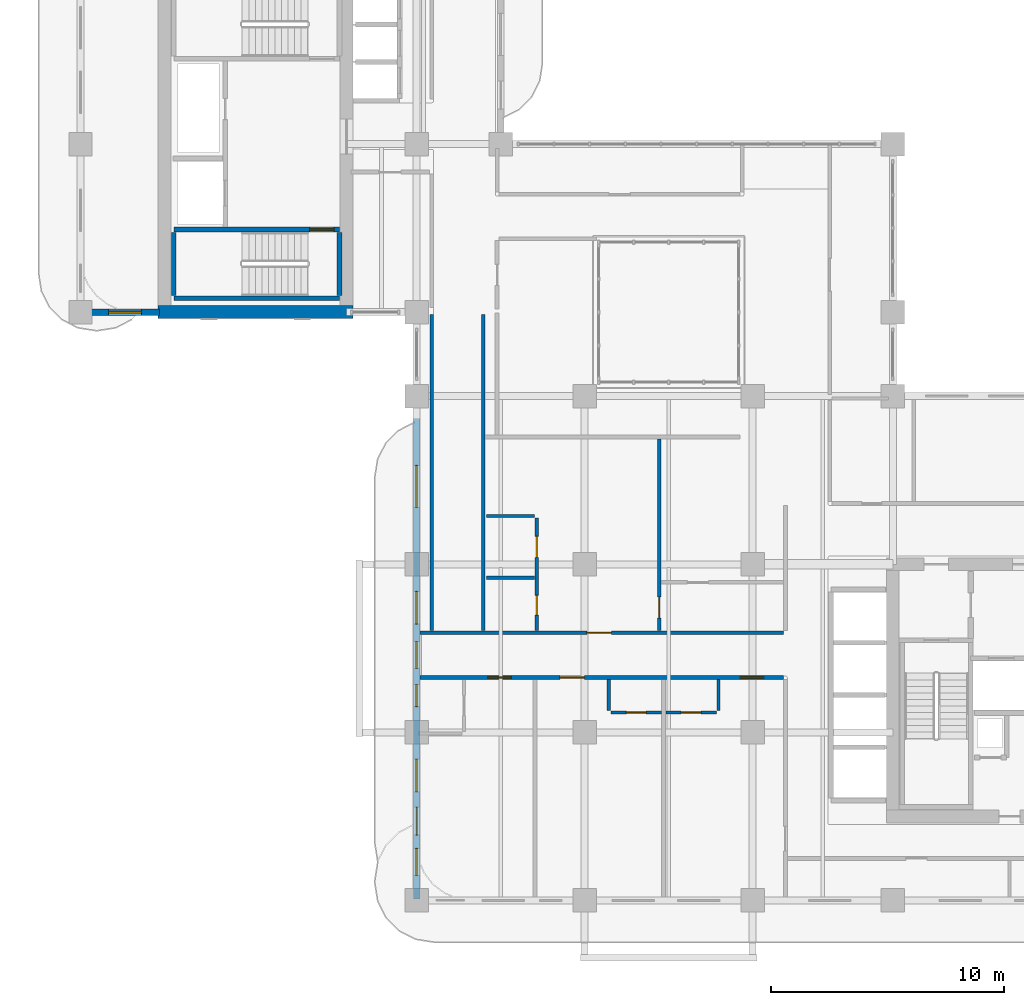
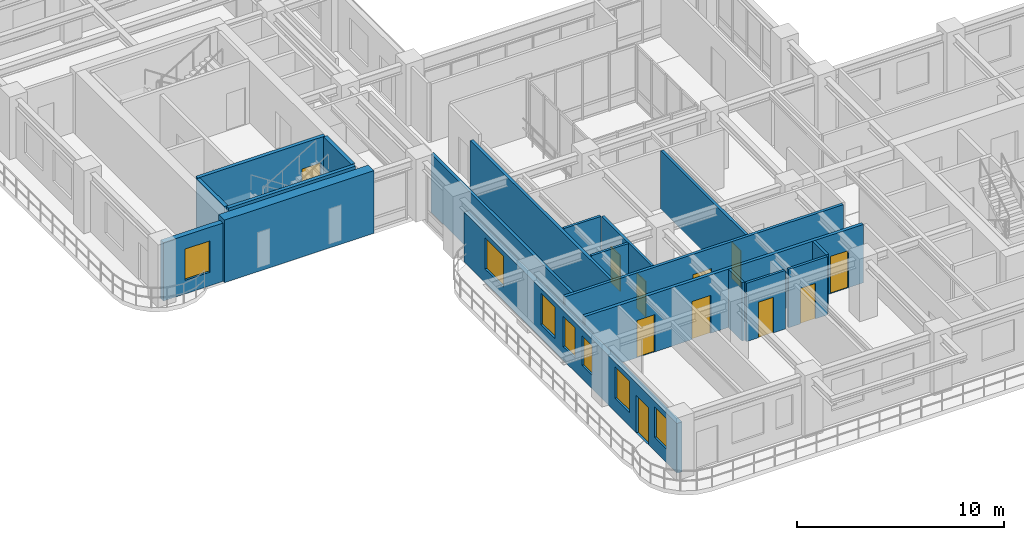
# One storey, part 11 of 19: 19 walls, 11 doors, 7 windows, 18 openings.
"""IFC4 building model written with IfcOpenShell, lengths in metres."""

from ifc_helpers import new_model, si_unit, derived_unit, direction, frame, frame_2d, origin, place, context, subcontext, project, spatial, rectangle, extrude, source, transform, mapped, material, layer, layer_set, type_object, type_shapes, element, fill, save


model = new_model("IFC4")

# Units and contexts
model_context = context("Model", 3, precision=1e-05, world=origin(), true_north=direction((0.0, 1.0)))
body_context = subcontext(model_context, "Body", "Model", "MODEL_VIEW")
ifc_project = project(units=[si_unit("LENGTHUNIT", "METRE"), si_unit("AREAUNIT", "SQUARE_METRE"), si_unit("VOLUMEUNIT", "CUBIC_METRE"), si_unit("PLANEANGLEUNIT", "RADIAN"), si_unit("MASSUNIT", "GRAM", prefix="KILO"), si_unit("THERMODYNAMICTEMPERATUREUNIT", "KELVIN"), si_unit("POWERUNIT", "WATT"), derived_unit("THERMALTRANSMITTANCEUNIT", [(si_unit("POWERUNIT", "WATT"), 1), (si_unit("AREAUNIT", "SQUARE_METRE"), -1), (si_unit("THERMODYNAMICTEMPERATUREUNIT", "KELVIN"), -1)])], contexts=[model_context])

# Site, building, storey
site_placement = place(None, origin())
site = spatial("IfcSite", under=ifc_project, at=site_placement, CompositionType="ELEMENT")
building_placement = place(site_placement, origin())
building = spatial("IfcBuilding", under=site, at=building_placement, Name="Zahravan Archway Hotel and Residences", CompositionType="ELEMENT")
storey_placement = place(building_placement, frame((0.0, 0.0, 134.0)))
storey = spatial("IfcBuildingStorey", under=building, at=storey_placement, Name="L33", CompositionType="ELEMENT", Elevation=134.0)

# Wall
ifc_material_1 = material(Name="Concrete C70/85", Category="concrete")
ifc_layer_1 = layer(ifc_material_1, 0.550048828125, Name="Concrete C70/85", Category="concrete")
ifc_layer_set_1 = layer_set([ifc_layer_1], Name="Concrete C70/85")
wall_type_1 = type_object("IfcWallType", Name="CW-CORE-550", PredefinedType="SHEAR", material=ifc_layer_set_1)
wall_1_placement = place(storey_placement, frame((3.324951171875, 25.199951171875, 0.0), z_axis=(0.0, 0.0, 1.0), x_axis=(1.0, 0.0, 0.0)))
element("IfcWall", 1, at=wall_1_placement, inside=storey, type_object=wall_type_1, Name="L33 Core B Shear S Wall 550 mm", PredefinedType="SHEAR", context=body_context, shape_type="SweptSolid", body=[
    extrude(rectangle(XDim=8.35009765625, YDim=0.550048828125, at=frame_2d((4.175048828125, 0.0))), origin(), (0.0, 0.0, 1.0), 3.699951171875),
])

# Wall, openings, door, windows
ifc_material_2 = material(Name="Honed Red-Ochre Sandstone & Insulated Block", Category="masonry")
ifc_layer_2 = layer(ifc_material_2, 0.280029296875, Name="Honed Red-Ochre Sandstone & Insulated Block", Category="masonry")
ifc_layer_set_2 = layer_set([ifc_layer_2], Name="Honed Red-Ochre Sandstone & Insulated Block")
wall_type_2 = type_object("IfcWallType", Name="EW-LOG-280", PredefinedType="SOLIDWALL", material=ifc_layer_set_2)
wall_2_placement = place(storey_placement, frame((14.39990234375, 0.050048828125, 0.0), z_axis=(0.0, 0.0, 1.0), x_axis=(0.0, 1.0, 0.0)))
wall_2 = element("IfcWall", 2, at=wall_2_placement, inside=storey, type_object=wall_type_2, Name="L33 Exterior Sandstone Wall WA-WL", PredefinedType="SOLIDWALL", context=body_context, shape_type="SweptSolid", body=[
    extrude(rectangle(XDim=20.599853515625, YDim=0.280029296875, at=frame_2d((10.2998046875, 0.0))), origin(), (0.0, 0.0, 1.0), 2.93505859375),
])
opening_1_placement = place(wall_2_placement, frame((2.75, 0.0, 0.0)))
opening_1 = element("IfcOpeningElement", 3, at=opening_1_placement, cuts=wall_2, Name="Opening ED-BL1", PredefinedType="OPENING", context=body_context, shape_type="SweptSolid", body=[
    extrude(rectangle(XDim=1.199951171875, YDim=2.199951171875, at=frame_2d((0.60009765625, 1.10009765625))), frame((0.0, 0.14990234375, 0.0), z_axis=(0.0, -1.0, 0.0), x_axis=(1.0, 0.0, 0.0)), (0.0, 0.0, 1.0), 0.300048828125),
])
opening_2_placement = place(wall_2_placement, frame((1.02490234375, 0.0, 0.800048828125)))
opening_2 = element("IfcOpeningElement", 4, at=opening_2_placement, cuts=wall_2, Name="Opening W-05", PredefinedType="OPENING", context=body_context, shape_type="SweptSolid", body=[
    extrude(rectangle(XDim=1.14990234375, YDim=1.800048828125, at=frame_2d((0.574951171875, 0.89990234375))), frame((0.0, 0.14990234375, 0.0), z_axis=(0.0, -1.0, 0.0), x_axis=(1.0, 0.0, 0.0)), (0.0, 0.0, 1.0), 0.300048828125),
])
opening_3_placement = place(wall_2_placement, frame((4.60009765625, 0.0, 0.800048828125)))
opening_3 = element("IfcOpeningElement", 5, at=opening_3_placement, cuts=wall_2, Name="Opening W-03", PredefinedType="OPENING", context=body_context, shape_type="SweptSolid", body=[
    extrude(rectangle(XDim=1.39990234375, YDim=1.85009765625, at=frame_2d((0.699951171875, 0.925048828125))), frame((0.0, 0.14990234375, 0.0), z_axis=(0.0, -1.0, 0.0), x_axis=(1.0, 0.0, 0.0)), (0.0, 0.0, 1.0), 0.300048828125),
])
opening_4_placement = place(wall_2_placement, frame((8.24609375, 0.0, 0.800048828125)))
opening_4 = element("IfcOpeningElement", 6, at=opening_4_placement, cuts=wall_2, Name="Opening W-04", PredefinedType="OPENING", context=body_context, shape_type="SweptSolid", body=[
    extrude(rectangle(XDim=0.949951171875, YDim=1.75, at=frame_2d((0.47509765625, 0.875))), frame((0.0, 0.14990234375, 0.0), z_axis=(0.0, -1.0, 0.0), x_axis=(1.0, 0.0, 0.0)), (0.0, 0.0, 1.0), 0.300048828125),
])
opening_5_placement = place(wall_2_placement, frame((9.885009765625, 0.0, 0.800048828125)))
opening_5 = element("IfcOpeningElement", 7, at=opening_5_placement, cuts=wall_2, Name="Opening W-05", PredefinedType="OPENING", context=body_context, shape_type="SweptSolid", body=[
    extrude(rectangle(XDim=1.14990234375, YDim=1.800048828125, at=frame_2d((0.574951171875, 0.89990234375))), frame((0.0, 0.14990234375, 0.0), z_axis=(0.0, -1.0, 0.0), x_axis=(1.0, 0.0, 0.0)), (0.0, 0.0, 1.0), 0.300048828125),
])
opening_6_placement = place(wall_2_placement, frame((11.7890625, 0.0, 0.800048828125)))
opening_6 = element("IfcOpeningElement", 8, at=opening_6_placement, cuts=wall_2, Name="Opening W-03", PredefinedType="OPENING", context=body_context, shape_type="SweptSolid", body=[
    extrude(rectangle(XDim=1.39990234375, YDim=1.85009765625, at=frame_2d((0.699951171875, 0.925048828125))), frame((0.0, 0.14990234375, 0.0), z_axis=(0.0, -1.0, 0.0), x_axis=(1.0, 0.0, 0.0)), (0.0, 0.0, 1.0), 0.300048828125),
])
opening_7_placement = place(wall_2_placement, frame((16.7900390625, 0.0, 0.800048828125)))
opening_7 = element("IfcOpeningElement", 9, at=opening_7_placement, cuts=wall_2, Name="Opening W-02", PredefinedType="OPENING", context=body_context, shape_type="SweptSolid", body=[
    extrude(rectangle(XDim=1.800048828125, YDim=1.85009765625, at=frame_2d((0.89990234375, 0.925048828125))), frame((0.0, 0.14990234375, 0.0), z_axis=(0.0, -1.0, 0.0), x_axis=(1.0, 0.0, 0.0)), (0.0, 0.0, 1.0), 0.300048828125),
])
ifc_material_3 = material(Name="Bronze-Anodized Glazed Aluminium", Category="aluminium")
door_type_1 = type_object("IfcDoorType", Name="ED-BALC-1200", OperationType="SLIDING_TO_LEFT", PredefinedType="DOOR", material=ifc_material_3)
shared_shape_1 = source(origin(), body_context, "Body", "SweptSolid", [
    extrude(rectangle(XDim=1.199951171875, YDim=2.199951171875, at=frame_2d((0.60009765625, 1.10009765625))), frame((0.0, 0.02490234375, 0.0), z_axis=(0.0, -1.0, 0.0), x_axis=(1.0, 0.0, 0.0)), (0.0, 0.0, 1.0), 0.050048828125),
])
type_shapes(door_type_1, [shared_shape_1])
door_1_placement = place(opening_1_placement, origin())
door_1 = element("IfcDoor", 10, at=door_1_placement, inside=storey, type_object=door_type_1, Name="L33 Outdoor Access Sliding Door (SLB-BAL-L33-WA)", OperationType="SLIDING_TO_LEFT", OverallHeight=2.199951171875, OverallWidth=1.199951171875, PredefinedType="DOOR", context=body_context, shape_type="MappedRepresentation", body=[
    mapped(shared_shape_1, transform((0.0, 0.0, 0.0), scale=1.0)),
])
fill(opening_1, door_1)
ifc_material_4 = material(Name="Bronze-Anodized Thermal-Break Aluminium & Low-E Glass", Category="aluminium")
window_type_1 = type_object("IfcWindowType", Name="WIN-TWR-1400", PartitioningType="SINGLE_PANEL", PredefinedType="WINDOW", material=ifc_material_4)
shared_shape_2 = source(origin(), body_context, "Body", "SweptSolid", [
    extrude(rectangle(XDim=1.39990234375, YDim=1.85009765625, at=frame_2d((0.699951171875, 0.925048828125))), frame((0.0, 0.030029296875, 0.0), z_axis=(0.0, -1.0, 0.0), x_axis=(1.0, 0.0, 0.0)), (0.0, 0.0, 1.0), 0.06005859375),
])
type_shapes(window_type_1, [shared_shape_2])
window_1_placement = place(opening_3_placement, origin())
window_1 = element("IfcWindow", 11, at=window_1_placement, inside=storey, type_object=window_type_1, Name="L33 Loggia Window 16", OverallHeight=1.85009765625, OverallWidth=1.39990234375, PartitioningType="SINGLE_PANEL", PredefinedType="WINDOW", context=body_context, shape_type="MappedRepresentation", body=[
    mapped(shared_shape_2, transform((0.0, 0.0, 0.0), scale=1.0)),
])
fill(opening_3, window_1)
window_2_placement = place(opening_6_placement, origin())
window_2 = element("IfcWindow", 12, at=window_2_placement, inside=storey, type_object=window_type_1, Name="L33 Loggia Window 19", OverallHeight=1.85009765625, OverallWidth=1.39990234375, PartitioningType="SINGLE_PANEL", PredefinedType="WINDOW", context=body_context, shape_type="MappedRepresentation", body=[
    mapped(shared_shape_2, transform((0.0, 0.0, 0.0), scale=1.0)),
])
fill(opening_6, window_2)
window_type_2 = type_object("IfcWindowType", Name="WIN-NAR-950", PartitioningType="SINGLE_PANEL", PredefinedType="WINDOW", material=ifc_material_4)
shared_shape_3 = source(origin(), body_context, "Body", "SweptSolid", [
    extrude(rectangle(XDim=0.949951171875, YDim=1.75, at=frame_2d((0.47509765625, 0.875))), frame((0.0, 0.030029296875, 0.0), z_axis=(0.0, -1.0, 0.0), x_axis=(1.0, 0.0, 0.0)), (0.0, 0.0, 1.0), 0.06005859375),
])
type_shapes(window_type_2, [shared_shape_3])
window_3_placement = place(opening_4_placement, origin())
window_3 = element("IfcWindow", 13, at=window_3_placement, inside=storey, type_object=window_type_2, Name="L33 Loggia Window 17", OverallHeight=1.75, OverallWidth=0.949951171875, PartitioningType="SINGLE_PANEL", PredefinedType="WINDOW", context=body_context, shape_type="MappedRepresentation", body=[
    mapped(shared_shape_3, transform((0.0, 0.0, 0.0), scale=1.0)),
])
fill(opening_4, window_3)
window_type_3 = type_object("IfcWindowType", Name="WIN-TWR-1800", PartitioningType="DOUBLE_PANEL_VERTICAL", PredefinedType="WINDOW", material=ifc_material_4)
shared_shape_4 = source(origin(), body_context, "Body", "SweptSolid", [
    extrude(rectangle(XDim=1.800048828125, YDim=1.85009765625, at=frame_2d((0.89990234375, 0.925048828125))), frame((0.0, 0.030029296875, 0.0), z_axis=(0.0, -1.0, 0.0), x_axis=(1.0, 0.0, 0.0)), (0.0, 0.0, 1.0), 0.06005859375),
])
type_shapes(window_type_3, [shared_shape_4])
window_4_placement = place(opening_7_placement, origin())
window_4 = element("IfcWindow", 14, at=window_4_placement, inside=storey, type_object=window_type_3, Name="L33 Loggia Window 20", OverallHeight=1.85009765625, OverallWidth=1.800048828125, PartitioningType="DOUBLE_PANEL_VERTICAL", PredefinedType="WINDOW", context=body_context, shape_type="MappedRepresentation", body=[
    mapped(shared_shape_4, transform((0.0, 0.0, 0.0), scale=1.0)),
])
fill(opening_7, window_4)
window_type_4 = type_object("IfcWindowType", Name="WIN-TWR-1150", PartitioningType="SINGLE_PANEL", PredefinedType="WINDOW", material=ifc_material_4)
shared_shape_5 = source(origin(), body_context, "Body", "SweptSolid", [
    extrude(rectangle(XDim=1.14990234375, YDim=1.800048828125, at=frame_2d((0.574951171875, 0.89990234375))), frame((0.0, 0.030029296875, 0.0), z_axis=(0.0, -1.0, 0.0), x_axis=(1.0, 0.0, 0.0)), (0.0, 0.0, 1.0), 0.06005859375),
])
type_shapes(window_type_4, [shared_shape_5])
window_5_placement = place(opening_2_placement, origin())
window_5 = element("IfcWindow", 15, at=window_5_placement, inside=storey, type_object=window_type_4, Name="L33 Loggia Window 15", OverallHeight=1.800048828125, OverallWidth=1.14990234375, PartitioningType="SINGLE_PANEL", PredefinedType="WINDOW", context=body_context, shape_type="MappedRepresentation", body=[
    mapped(shared_shape_5, transform((0.0, 0.0, 0.0), scale=1.0)),
])
fill(opening_2, window_5)
window_6_placement = place(opening_5_placement, origin())
window_6 = element("IfcWindow", 16, at=window_6_placement, inside=storey, type_object=window_type_4, Name="L33 Loggia Window 18", OverallHeight=1.800048828125, OverallWidth=1.14990234375, PartitioningType="SINGLE_PANEL", PredefinedType="WINDOW", context=body_context, shape_type="MappedRepresentation", body=[
    mapped(shared_shape_5, transform((0.0, 0.0, 0.0), scale=1.0)),
])
fill(opening_5, window_6)

# Wall, opening, window
wall_3_placement = place(storey_placement, frame((0.0, 25.199951171875, 0.0), z_axis=(0.0, 0.0, 1.0), x_axis=(1.0, 0.0, 0.0)))
wall_3 = element("IfcWall", 17, at=wall_3_placement, inside=storey, type_object=wall_type_2, Name="L33 Exterior Sandstone Wall WB-SW", PredefinedType="SOLIDWALL", context=body_context, shape_type="SweptSolid", body=[
    extrude(rectangle(XDim=3.3798828125, YDim=0.280029296875, at=frame_2d((1.68994140625, 0.0))), origin(), (0.0, 0.0, 1.0), 3.449951171875),
])
opening_8_placement = place(wall_3_placement, frame((1.205078125, 0.0, 0.800048828125)))
opening_8 = element("IfcOpeningElement", 18, at=opening_8_placement, cuts=wall_3, Name="Opening W-03", PredefinedType="OPENING", context=body_context, shape_type="SweptSolid", body=[
    extrude(rectangle(XDim=1.39990234375, YDim=1.85009765625, at=frame_2d((0.699951171875, 0.925048828125))), frame((0.0, 0.14990234375, 0.0), z_axis=(0.0, -1.0, 0.0), x_axis=(1.0, 0.0, 0.0)), (0.0, 0.0, 1.0), 0.300048828125),
])
window_7_placement = place(opening_8_placement, origin())
window_7 = element("IfcWindow", 19, at=window_7_placement, inside=storey, type_object=window_type_1, Name="L33 Loggia Window 21", OverallHeight=1.85009765625, OverallWidth=1.39990234375, PartitioningType="SINGLE_PANEL", PredefinedType="WINDOW", context=body_context, shape_type="MappedRepresentation", body=[
    mapped(shared_shape_2, transform((0.0, 0.0, 0.0), scale=1.0)),
])
fill(opening_8, window_7)

# Wall, opening, door
ifc_material_5 = material(Name="Fire-Rated Gypsum & Concrete Block", Category="concrete")
ifc_layer_3 = layer(ifc_material_5, 0.159912109375, Name="Fire-Rated Gypsum & Concrete Block", Category="concrete")
ifc_layer_set_3 = layer_set([ifc_layer_3], Name="Fire-Rated Gypsum & Concrete Block")
wall_type_3 = type_object("IfcWallType", Name="PW-CORR-160", PredefinedType="PARTITIONING", material=ifc_layer_set_3)
wall_4_placement = place(storey_placement, frame((14.548095703125, 11.469970703125, 0.0), z_axis=(0.0, 0.0, 1.0), x_axis=(1.0, 0.0, 0.0)))
wall_4 = element("IfcWall", 20, at=wall_4_placement, inside=storey, type_object=wall_type_3, Name="L33 Partition WA-CN", PredefinedType="PARTITIONING", context=body_context, shape_type="SweptSolid", body=[
    extrude(rectangle(XDim=15.56201171875, YDim=0.159912109375, at=frame_2d((7.781005859375, 0.0))), origin(), (0.0, 0.0, 1.0), 3.449951171875),
])
opening_9_placement = place(wall_4_placement, frame((7.14208984375, 0.0, 0.0)))
opening_9 = element("IfcOpeningElement", 21, at=opening_9_placement, cuts=wall_4, Name="Opening D-U1", PredefinedType="OPENING", context=body_context, shape_type="SweptSolid", body=[
    extrude(rectangle(XDim=1.050048828125, YDim=2.25, at=frame_2d((0.52490234375, 1.125))), frame((0.0, 0.08984375, 0.0), z_axis=(0.0, -1.0, 0.0), x_axis=(1.0, 0.0, 0.0)), (0.0, 0.0, 1.0), 0.179931640625),
])
ifc_material_6 = material(Name="Hardwood Veneer Timber", Category="wood")
door_type_2 = type_object("IfcDoorType", Name="ID-UNIT-1050", OperationType="NOTDEFINED", PredefinedType="DOOR", material=ifc_material_6)
shared_shape_6 = source(origin(), body_context, "Body", "SweptSolid", [
    extrude(rectangle(XDim=1.050048828125, YDim=2.25, at=frame_2d((0.52490234375, 1.125))), frame((0.0, 0.02490234375, 0.0), z_axis=(0.0, -1.0, 0.0), x_axis=(1.0, 0.0, 0.0)), (0.0, 0.0, 1.0), 0.050048828125),
])
type_shapes(door_type_2, [shared_shape_6])
door_2_placement = place(opening_9_placement, origin())
door_2 = element("IfcDoor", 22, at=door_2_placement, inside=storey, type_object=door_type_2, Name="L33 Flat AT1 Entrance Door", OperationType="SINGLE_SWING_LEFT", OverallHeight=2.25, OverallWidth=1.050048828125, PredefinedType="DOOR", context=body_context, shape_type="MappedRepresentation", body=[
    mapped(shared_shape_6, transform((0.0, 0.0, 0.0), scale=1.0)),
])
fill(opening_9, door_2)

# Walls
for number, where, z_axis, x_axis, name in (
    (23, (15.050048828125, 11.56005859375, 0.0), (0.0, 0.0, 1.0), (0.0, 1.0, 0.0), "L33 Partition LNK-W"),
    (24, (17.25, 11.56005859375, 0.0), (0.0, 0.0, 1.0), (0.0, 1.0, 0.0), "L33 Partition LNK-E"),
):
    element("IfcWall", number, at=place(storey_placement, frame(where, z_axis=z_axis, x_axis=x_axis)), inside=storey, type_object=wall_type_3, Name=name, PredefinedType="PARTITIONING", context=body_context, shape_type="SweptSolid", body=[
        extrude(rectangle(XDim=13.550048828125, YDim=0.159912109375, at=frame_2d((6.77490234375, 0.0))), origin(), (0.0, 0.0, 1.0), 3.449951171875),
    ])

# Wall, openings, doors
ifc_layer_4 = layer(ifc_material_5, 0.179931640625, Name="Fire-Rated Gypsum & Concrete Block", Category="concrete")
ifc_layer_set_4 = layer_set([ifc_layer_4], Name="Fire-Rated Gypsum & Concrete Block")
wall_type_4 = type_object("IfcWallType", Name="PW-CORR-180", PredefinedType="PARTITIONING", material=ifc_layer_set_4)
wall_5_placement = place(storey_placement, frame((14.548095703125, 9.550048828125, 0.0), z_axis=(0.0, 0.0, 1.0), x_axis=(1.0, 0.0, 0.0)))
wall_5 = element("IfcWall", 25, at=wall_5_placement, inside=storey, type_object=wall_type_4, Name="L33 Partition WA-CS", PredefinedType="PARTITIONING", context=body_context, shape_type="SweptSolid", body=[
    extrude(rectangle(XDim=15.56201171875, YDim=0.179931640625, at=frame_2d((7.781005859375, 0.0))), origin(), (0.0, 0.0, 1.0), 3.449951171875),
])
opening_10_placement = place(wall_5_placement, frame((2.907958984375, 0.0, 0.0)))
opening_10 = element("IfcOpeningElement", 26, at=opening_10_placement, cuts=wall_5, Name="Opening D-U2", PredefinedType="OPENING", context=body_context, shape_type="SweptSolid", body=[
    extrude(rectangle(XDim=1.0, YDim=2.199951171875, at=frame_2d((0.5, 1.10009765625))), frame((0.0, 0.10009765625, 0.0), z_axis=(0.0, -1.0, 0.0), x_axis=(1.0, 0.0, 0.0)), (0.0, 0.0, 1.0), 0.199951171875),
])
opening_11_placement = place(wall_5_placement, frame((5.985107421875, 0.0, 0.0)))
opening_11 = element("IfcOpeningElement", 27, at=opening_11_placement, cuts=wall_5, Name="Opening D-U1", PredefinedType="OPENING", context=body_context, shape_type="SweptSolid", body=[
    extrude(rectangle(XDim=1.050048828125, YDim=2.25, at=frame_2d((0.52490234375, 1.125))), frame((0.0, 0.10009765625, 0.0), z_axis=(0.0, -1.0, 0.0), x_axis=(1.0, 0.0, 0.0)), (0.0, 0.0, 1.0), 0.199951171875),
])
opening_12_placement = place(wall_5_placement, frame((13.719970703125, 0.0, 0.0)))
opening_12 = element("IfcOpeningElement", 28, at=opening_12_placement, cuts=wall_5, Name="Opening D-U2", PredefinedType="OPENING", context=body_context, shape_type="SweptSolid", body=[
    extrude(rectangle(XDim=1.0, YDim=2.199951171875, at=frame_2d((0.5, 1.10009765625))), frame((0.0, 0.10009765625, 0.0), z_axis=(0.0, -1.0, 0.0), x_axis=(1.0, 0.0, 0.0)), (0.0, 0.0, 1.0), 0.199951171875),
])
door_3_placement = place(opening_11_placement, origin())
door_3 = element("IfcDoor", 29, at=door_3_placement, inside=storey, type_object=door_type_2, Name="L33 Hotel Guestroom 2 Entrance Door", OperationType="SINGLE_SWING_RIGHT", OverallHeight=2.25, OverallWidth=1.050048828125, PredefinedType="DOOR", context=body_context, shape_type="MappedRepresentation", body=[
    mapped(shared_shape_6, transform((0.0, 0.0, 0.0), scale=1.0)),
])
fill(opening_11, door_3)
door_type_3 = type_object("IfcDoorType", Name="ID-UNIT-1000", OperationType="NOTDEFINED", PredefinedType="DOOR", material=ifc_material_6)
shared_shape_7 = source(origin(), body_context, "Body", "SweptSolid", [
    extrude(rectangle(XDim=1.0, YDim=2.199951171875, at=frame_2d((0.5, 1.10009765625))), frame((0.0, 0.02490234375, 0.0), z_axis=(0.0, -1.0, 0.0), x_axis=(1.0, 0.0, 0.0)), (0.0, 0.0, 1.0), 0.050048828125),
])
type_shapes(door_type_3, [shared_shape_7])
door_4_placement = place(opening_10_placement, origin())
door_4 = element("IfcDoor", 30, at=door_4_placement, inside=storey, type_object=door_type_3, Name="L33 Hotel Guestroom 1 Entrance Door", OperationType="SINGLE_SWING_RIGHT", OverallHeight=2.199951171875, OverallWidth=1.0, PredefinedType="DOOR", context=body_context, shape_type="MappedRepresentation", body=[
    mapped(shared_shape_7, transform((0.0, 0.0, 0.0), scale=1.0)),
])
fill(opening_10, door_4)
door_5_placement = place(opening_12_placement, origin())
door_5 = element("IfcDoor", 31, at=door_5_placement, inside=storey, type_object=door_type_3, Name="L33 Hotel Guestroom 3 Entrance Door", OperationType="SINGLE_SWING_RIGHT", OverallHeight=2.199951171875, OverallWidth=1.0, PredefinedType="DOOR", context=body_context, shape_type="MappedRepresentation", body=[
    mapped(shared_shape_7, transform((0.0, 0.0, 0.0), scale=1.0)),
])
fill(opening_12, door_5)

# Wall, opening, door
ifc_material_7 = material(Name="Acoustic Stud Partition")
ifc_layer_5 = layer(ifc_material_7, 0.14990234375, Name="Acoustic Stud Partition")
ifc_layer_set_5 = layer_set([ifc_layer_5], Name="Acoustic Stud Partition")
wall_type_5 = type_object("IfcWallType", Name="PW-UNIT-150", PredefinedType="PARTITIONING", material=ifc_layer_set_5)
wall_6_placement = place(storey_placement, frame((24.800048828125, 11.56005859375, 0.0), z_axis=(0.0, 0.0, 1.0), x_axis=(0.0, 1.0, 0.0)))
wall_6 = element("IfcWall", 32, at=wall_6_placement, inside=storey, type_object=wall_type_5, Name="L33 Partition FL-AT1-SP", PredefinedType="PARTITIONING", context=body_context, shape_type="SweptSolid", body=[
    extrude(rectangle(XDim=8.199951171875, YDim=0.14990234375, at=frame_2d((4.10009765625, 0.0))), origin(), (0.0, 0.0, 1.0), 3.449951171875),
])
opening_13_placement = place(wall_6_placement, frame((0.534912109375, 0.0, 0.0)))
opening_13 = element("IfcOpeningElement", 33, at=opening_13_placement, cuts=wall_6, Name="Opening D-I2", PredefinedType="OPENING", context=body_context, shape_type="SweptSolid", body=[
    extrude(rectangle(XDim=0.89990234375, YDim=2.14990234375, at=frame_2d((0.449951171875, 1.074951171875))), frame((0.0, 0.0849609375, 0.0), z_axis=(0.0, -1.0, 0.0), x_axis=(1.0, 0.0, 0.0)), (0.0, 0.0, 1.0), 0.169921875),
])
door_type_4 = type_object("IfcDoorType", Name="ID-INT-900", OperationType="NOTDEFINED", PredefinedType="DOOR", material=ifc_material_6)
shared_shape_8 = source(origin(), body_context, "Body", "SweptSolid", [
    extrude(rectangle(XDim=0.89990234375, YDim=2.14990234375, at=frame_2d((0.449951171875, 1.074951171875))), frame((0.0, 0.02490234375, 0.0), z_axis=(0.0, -1.0, 0.0), x_axis=(1.0, 0.0, 0.0)), (0.0, 0.0, 1.0), 0.050048828125),
])
type_shapes(door_type_4, [shared_shape_8])
door_6_placement = place(opening_13_placement, origin())
door_6 = element("IfcDoor", 34, at=door_6_placement, inside=storey, type_object=door_type_4, Name="L33 Flat AT1 Bedroom Hall Door", OperationType="SINGLE_SWING_RIGHT", OverallHeight=2.14990234375, OverallWidth=0.89990234375, PredefinedType="DOOR", context=body_context, shape_type="MappedRepresentation", body=[
    mapped(shared_shape_8, transform((0.0, 0.0, 0.0), scale=1.0)),
])
fill(opening_13, door_6)

# Wall
ifc_material_8 = material(Name="Moisture-Resistant Blockwork", Category="masonry")
ifc_layer_6 = layer(ifc_material_8, 0.139892578125, Name="Moisture-Resistant Blockwork", Category="masonry")
ifc_layer_set_6 = layer_set([ifc_layer_6], Name="Moisture-Resistant Blockwork")
wall_type_6 = type_object("IfcWallType", Name="PW-WET-140", PredefinedType="PARTITIONING", material=ifc_layer_set_6)
wall_7_placement = place(storey_placement, frame((22.635986328125, 8.139892578125, 0.0), z_axis=(0.0, 0.0, 1.0), x_axis=(0.0, 1.0, 0.0)))
element("IfcWall", 35, at=wall_7_placement, inside=storey, type_object=wall_type_6, Name="L33 Partition HKB-V2", PredefinedType="PARTITIONING", context=body_context, shape_type="SweptSolid", body=[
    extrude(rectangle(XDim=1.320068359375, YDim=0.139892578125, at=frame_2d((0.66015625, 0.0))), origin(), (0.0, 0.0, 1.0), 3.449951171875),
])

# Wall, opening, door
wall_8_placement = place(storey_placement, frame((22.72607421875, 8.050048828125, 0.0), z_axis=(0.0, 0.0, 1.0), x_axis=(1.0, 0.0, 0.0)))
wall_8 = element("IfcWall", 36, at=wall_8_placement, inside=storey, type_object=wall_type_6, Name="L33 Partition HKB-H2", PredefinedType="PARTITIONING", context=body_context, shape_type="SweptSolid", body=[
    extrude(rectangle(XDim=2.169921875, YDim=0.139892578125, at=frame_2d((1.0849609375, 0.0))), origin(), (0.0, 0.0, 1.0), 3.449951171875),
])
opening_14_placement = place(wall_8_placement, frame((0.659912109375, 0.0, 0.0)))
opening_14 = element("IfcOpeningElement", 37, at=opening_14_placement, cuts=wall_8, Name="Opening D-B1", PredefinedType="OPENING", context=body_context, shape_type="SweptSolid", body=[
    extrude(rectangle(XDim=0.85009765625, YDim=2.10009765625, at=frame_2d((0.425048828125, 1.050048828125))), frame((0.0, 0.080078125, 0.0), z_axis=(0.0, -1.0, 0.0), x_axis=(1.0, 0.0, 0.0)), (0.0, 0.0, 1.0), 0.159912109375),
])
door_type_5 = type_object("IfcDoorType", Name="ID-BATH-850", OperationType="NOTDEFINED", PredefinedType="DOOR", material=ifc_material_6)
shared_shape_9 = source(origin(), body_context, "Body", "SweptSolid", [
    extrude(rectangle(XDim=0.85009765625, YDim=2.10009765625, at=frame_2d((0.425048828125, 1.050048828125))), frame((0.0, 0.02490234375, 0.0), z_axis=(0.0, -1.0, 0.0), x_axis=(1.0, 0.0, 0.0)), (0.0, 0.0, 1.0), 0.050048828125),
])
type_shapes(door_type_5, [shared_shape_9])
door_7_placement = place(opening_14_placement, origin())
door_7 = element("IfcDoor", 38, at=door_7_placement, inside=storey, type_object=door_type_5, Name="L33 Guestroom 2 En-Suite Door", OperationType="SINGLE_SWING_LEFT", OverallHeight=2.10009765625, OverallWidth=0.85009765625, PredefinedType="DOOR", context=body_context, shape_type="MappedRepresentation", body=[
    mapped(shared_shape_9, transform((0.0, 0.0, 0.0), scale=1.0)),
])
fill(opening_14, door_7)

# Wall
wall_9_placement = place(storey_placement, frame((27.3359375, 8.139892578125, 0.0), z_axis=(0.0, 0.0, 1.0), x_axis=(0.0, 1.0, 0.0)))
element("IfcWall", 39, at=wall_9_placement, inside=storey, type_object=wall_type_6, Name="L33 Partition HKB-V3", PredefinedType="PARTITIONING", context=body_context, shape_type="SweptSolid", body=[
    extrude(rectangle(XDim=1.320068359375, YDim=0.139892578125, at=frame_2d((0.66015625, 0.0))), origin(), (0.0, 0.0, 1.0), 3.449951171875),
])

# Wall, opening, door
wall_10_placement = place(storey_placement, frame((25.075927734375, 8.050048828125, 0.0), z_axis=(0.0, 0.0, 1.0), x_axis=(1.0, 0.0, 0.0)))
wall_10 = element("IfcWall", 40, at=wall_10_placement, inside=storey, type_object=wall_type_6, Name="L33 Partition HKB-H3", PredefinedType="PARTITIONING", context=body_context, shape_type="SweptSolid", body=[
    extrude(rectangle(XDim=2.170166015625, YDim=0.139892578125, at=frame_2d((1.0849609375, 0.0))), origin(), (0.0, 0.0, 1.0), 3.449951171875),
])
opening_15_placement = place(wall_10_placement, frame((0.659912109375, 0.0, 0.0)))
opening_15 = element("IfcOpeningElement", 41, at=opening_15_placement, cuts=wall_10, Name="Opening D-B1", PredefinedType="OPENING", context=body_context, shape_type="SweptSolid", body=[
    extrude(rectangle(XDim=0.85009765625, YDim=2.10009765625, at=frame_2d((0.425048828125, 1.050048828125))), frame((0.0, 0.080078125, 0.0), z_axis=(0.0, -1.0, 0.0), x_axis=(1.0, 0.0, 0.0)), (0.0, 0.0, 1.0), 0.159912109375),
])
door_8_placement = place(opening_15_placement, origin())
door_8 = element("IfcDoor", 42, at=door_8_placement, inside=storey, type_object=door_type_5, Name="L33 Guestroom 3 En-Suite Door", OperationType="SINGLE_SWING_LEFT", OverallHeight=2.10009765625, OverallWidth=0.85009765625, PredefinedType="DOOR", context=body_context, shape_type="MappedRepresentation", body=[
    mapped(shared_shape_9, transform((0.0, 0.0, 0.0), scale=1.0)),
])
fill(opening_15, door_8)

# Wall, openings, doors
wall_11_placement = place(storey_placement, frame((19.550048828125, 11.56005859375, 0.0), z_axis=(0.0, 0.0, 1.0), x_axis=(0.0, 1.0, 0.0)))
wall_11 = element("IfcWall", 43, at=wall_11_placement, inside=storey, type_object=wall_type_6, Name="L33 Partition FL-AT1-BV", PredefinedType="PARTITIONING", context=body_context, shape_type="SweptSolid", body=[
    extrude(rectangle(XDim=4.81982421875, YDim=0.139892578125, at=frame_2d((2.409912109375, 0.0))), origin(), (0.0, 0.0, 1.0), 3.449951171875),
])
opening_16_placement = place(wall_11_placement, frame((0.659912109375, 0.0, 0.0)))
opening_16 = element("IfcOpeningElement", 44, at=opening_16_placement, cuts=wall_11, Name="Opening D-B1", PredefinedType="OPENING", context=body_context, shape_type="SweptSolid", body=[
    extrude(rectangle(XDim=0.85009765625, YDim=2.10009765625, at=frame_2d((0.425048828125, 1.050048828125))), frame((0.0, 0.080078125, 0.0), z_axis=(0.0, -1.0, 0.0), x_axis=(1.0, 0.0, 0.0)), (0.0, 0.0, 1.0), 0.159912109375),
])
opening_17_placement = place(wall_11_placement, frame((3.135009765625, 0.0, 0.0)))
opening_17 = element("IfcOpeningElement", 45, at=opening_17_placement, cuts=wall_11, Name="Opening D-I2", PredefinedType="OPENING", context=body_context, shape_type="SweptSolid", body=[
    extrude(rectangle(XDim=0.89990234375, YDim=2.14990234375, at=frame_2d((0.449951171875, 1.074951171875))), frame((0.0, 0.080078125, 0.0), z_axis=(0.0, -1.0, 0.0), x_axis=(1.0, 0.0, 0.0)), (0.0, 0.0, 1.0), 0.159912109375),
])
door_9_placement = place(opening_16_placement, origin())
door_9 = element("IfcDoor", 46, at=door_9_placement, inside=storey, type_object=door_type_5, Name="L33 Flat AT1 Bathroom Door", OperationType="SINGLE_SWING_LEFT", OverallHeight=2.10009765625, OverallWidth=0.85009765625, PredefinedType="DOOR", context=body_context, shape_type="MappedRepresentation", body=[
    mapped(shared_shape_9, transform((0.0, 0.0, 0.0), scale=1.0)),
])
fill(opening_16, door_9)
door_10_placement = place(opening_17_placement, origin())
door_10 = element("IfcDoor", 47, at=door_10_placement, inside=storey, type_object=door_type_4, Name="L33 Flat AT1 Kitchen Door", OperationType="SINGLE_SWING_RIGHT", OverallHeight=2.14990234375, OverallWidth=0.89990234375, PredefinedType="DOOR", context=body_context, shape_type="MappedRepresentation", body=[
    mapped(shared_shape_8, transform((0.0, 0.0, 0.0), scale=1.0)),
])
fill(opening_17, door_10)

# Walls
for number, where, z_axis, x_axis, name in (
    (48, (17.389892578125, 13.820068359375, 0.0), (0.0, 0.0, 1.0), (1.0, 0.0, 0.0), "L33 Partition FL-AT1-BM"),
    (49, (17.389892578125, 16.469970703125, 0.0), (0.0, 0.0, 1.0), (1.0, 0.0, 0.0), "L33 Partition FL-AT1-KH"),
):
    element("IfcWall", number, at=place(storey_placement, frame(where, z_axis=z_axis, x_axis=x_axis)), inside=storey, type_object=wall_type_6, Name=name, PredefinedType="PARTITIONING", context=body_context, shape_type="SweptSolid", body=[
        extrude(rectangle(XDim=2.070068359375, YDim=0.139892578125, at=frame_2d((1.03515625, 0.0))), origin(), (0.0, 0.0, 1.0), 3.449951171875),
    ])
ifc_material_9 = material(Name="Concrete C50/60", Category="concrete")
ifc_layer_7 = layer(ifc_material_9, 0.199951171875, Name="Concrete C50/60", Category="concrete")
ifc_layer_set_7 = layer_set([ifc_layer_7], Name="Concrete C50/60")
wall_type_7 = type_object("IfcWallType", Name="SW-STAIR-200", PredefinedType="SHEAR", material=ifc_layer_set_7)
wall_12_placement = place(storey_placement, frame((4.0, 25.800048828125, 0.0), z_axis=(0.0, 0.0, 1.0), x_axis=(1.0, 0.0, 0.0)))
element("IfcWall", 50, at=wall_12_placement, inside=storey, type_object=wall_type_7, Name="L33 Stairwell RC Wall CB-SB1S", PredefinedType="SHEAR", context=body_context, shape_type="SweptSolid", body=[
    extrude(rectangle(XDim=7.10009765625, YDim=0.199951171875, at=frame_2d((3.550048828125, 0.0))), origin(), (0.0, 0.0, 1.0), 3.699951171875),
])
for number, where, z_axis, x_axis, name in (
    (51, (4.0, 25.919921875, 0.0), (0.0, 0.0, 1.0), (0.0, 1.0, 0.0), "L33 Stairwell RC Wall CB-SB1W"),
    (52, (11.10009765625, 25.919921875, 0.0), (0.0, 0.0, 1.0), (0.0, 1.0, 0.0), "L33 Stairwell RC Wall CB-SB1E"),
):
    element("IfcWall", number, at=place(storey_placement, frame(where, z_axis=z_axis, x_axis=x_axis)), inside=storey, type_object=wall_type_7, Name=name, PredefinedType="SHEAR", context=body_context, shape_type="SweptSolid", body=[
        extrude(rectangle(XDim=2.7001953125, YDim=0.199951171875, at=frame_2d((1.35009765625, 0.0))), origin(), (0.0, 0.0, 1.0), 3.699951171875),
    ])

# Wall, opening, door
wall_13_placement = place(storey_placement, frame((4.0, 28.739990234375, 0.0), z_axis=(0.0, 0.0, 1.0), x_axis=(1.0, 0.0, 0.0)))
wall_13 = element("IfcWall", 53, at=wall_13_placement, inside=storey, type_object=wall_type_7, Name="L33 Stairwell RC Wall CB-SB1N", PredefinedType="SHEAR", context=body_context, shape_type="SweptSolid", body=[
    extrude(rectangle(XDim=7.10009765625, YDim=0.199951171875, at=frame_2d((3.550048828125, 0.0))), origin(), (0.0, 0.0, 1.0), 3.699951171875),
])
opening_18_placement = place(wall_13_placement, frame((5.81494140625, 0.0, 0.0)))
opening_18 = element("IfcOpeningElement", 54, at=opening_18_placement, cuts=wall_13, Name="Opening FD-S1", PredefinedType="OPENING", context=body_context, shape_type="SweptSolid", body=[
    extrude(rectangle(XDim=1.050048828125, YDim=2.199951171875, at=frame_2d((0.52490234375, 1.10009765625))), frame((0.0, 0.10986328125, 0.0), z_axis=(0.0, -1.0, 0.0), x_axis=(1.0, 0.0, 0.0)), (0.0, 0.0, 1.0), 0.219970703125),
])
ifc_material_10 = material(Name="Fire-Rated Painted Steel", Category="steel")
door_type_6 = type_object("IfcDoorType", Name="FD-STAIR-1100", OperationType="NOTDEFINED", PredefinedType="DOOR", material=ifc_material_10)
shared_shape_10 = source(origin(), body_context, "Body", "SweptSolid", [
    extrude(rectangle(XDim=1.050048828125, YDim=2.199951171875, at=frame_2d((0.52490234375, 1.10009765625))), frame((0.0, 0.02490234375, 0.0), z_axis=(0.0, -1.0, 0.0), x_axis=(1.0, 0.0, 0.0)), (0.0, 0.0, 1.0), 0.050048828125),
])
type_shapes(door_type_6, [shared_shape_10])
door_11_placement = place(opening_18_placement, origin())
door_11 = element("IfcDoor", 55, at=door_11_placement, inside=storey, type_object=door_type_6, Name="L33 Stair ST-B1 Door", OperationType="SINGLE_SWING_RIGHT", OverallHeight=2.199951171875, OverallWidth=1.050048828125, PredefinedType="DOOR", context=body_context, shape_type="MappedRepresentation", body=[
    mapped(shared_shape_10, transform((0.0, 0.0, 0.0), scale=1.0)),
])
fill(opening_18, door_11)

save(model, "model.ifc")
